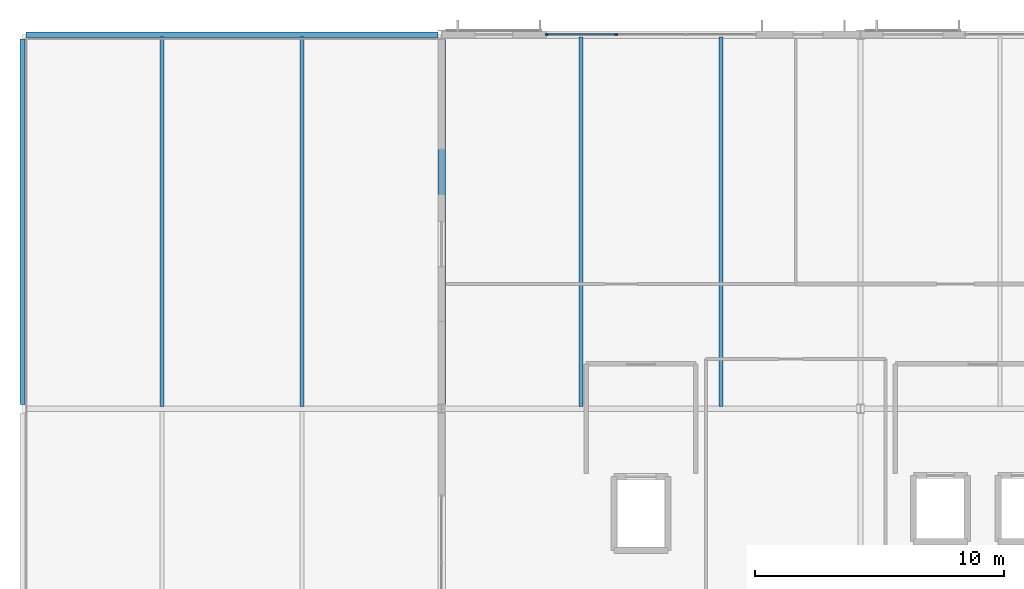
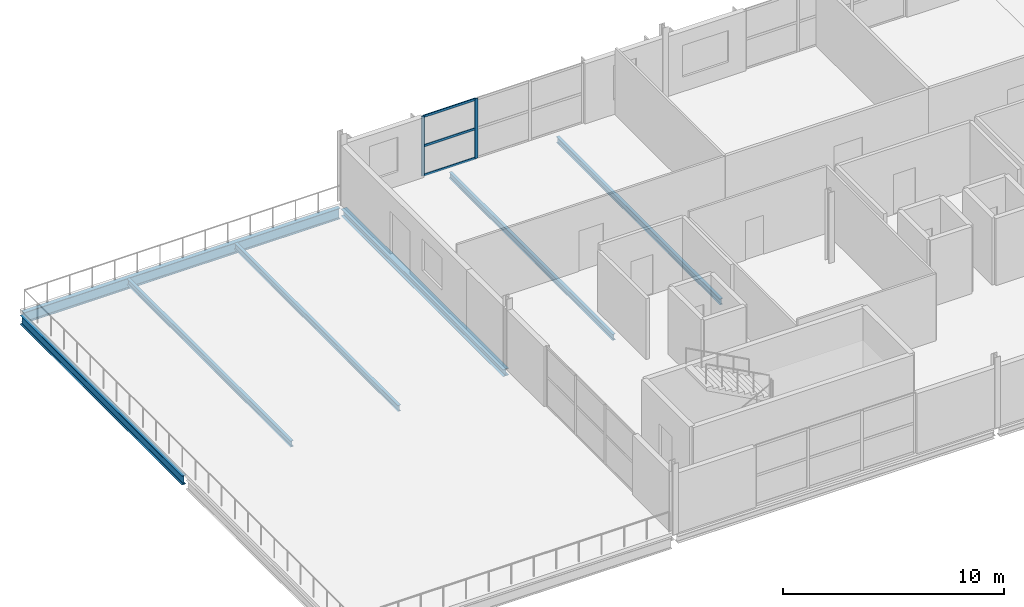
# One storey, part 5 of 18: 7 beams, 5 members, 1 element without a shape of its own.
"""IFC4 building model written with IfcOpenShell, lengths in metres."""

from ifc_helpers import new_model, si_unit, direction, frame, origin, origin_2d, place, context, subcontext, project, spatial, rectangle, i_section, extrude, material, material_profile, profile_set, type_object, element, aggregate, save


model = new_model("IFC4")

# Units and contexts
model_context = context("Model", 3, precision=1e-05, world=origin(), true_north=direction((0.0, 1.0)))
body_context = subcontext(model_context, "Body", "Model", "MODEL_VIEW")
ifc_project = project(units=[si_unit("LENGTHUNIT", "METRE"), si_unit("AREAUNIT", "SQUARE_METRE"), si_unit("VOLUMEUNIT", "CUBIC_METRE"), si_unit("PLANEANGLEUNIT", "RADIAN"), si_unit("MASSUNIT", "GRAM", prefix="KILO")], contexts=[model_context])

# Site, building, storey
site_placement = place(None, origin())
site = spatial("IfcSite", under=ifc_project, at=site_placement, CompositionType="ELEMENT")
building_placement = place(site_placement, origin())
building = spatial("IfcBuilding", under=site, at=building_placement, Name="Kimbaza Rail Terminus", CompositionType="ELEMENT")
storey_placement = place(building_placement, frame((0.0, 0.0, 24.89990234375)))
storey = spatial("IfcBuildingStorey", under=building, at=storey_placement, Name="L05", CompositionType="ELEMENT", Elevation=24.89990234375)

# Curtain wall, members
ifc_material_1 = material(Name="Anodised aluminium framing and solar low-E glazing", Category="aluminium")
curtain_wall_type = type_object("IfcCurtainWallType", Name="ARC-CW-OP2", PredefinedType="USERDEFINED", material=ifc_material_1)
curtain_wall_placement = place(storey_placement, origin())
curtain_wall = element("IfcCurtainWall", 1, at=curtain_wall_placement, inside=storey, type_object=curtain_wall_type, Name="Operations North Curtain Wall L05 Bay 1", ObjectType="STICK CURTAIN WALL", PredefinedType="USERDEFINED")
ifc_material_2 = material(Name="Anodised architectural aluminium", Category="aluminium")
ifc_material_profile_1 = material_profile(ifc_material_2, rectangle(XDim=0.05810546875, YDim=0.14990234375, at=origin_2d()), Name="MULLION 58x150")
ifc_profile_set_1 = profile_set([ifc_material_profile_1], Name="Anodised architectural aluminium")
member_type_1 = type_object("IfcMemberType", Name="ARC-CWM-06", PredefinedType="MULLION", material=ifc_profile_set_1)
member_1_placement = place(storey_placement, frame((76.22900390625, 133.0, 0.0), z_axis=(0.0, 0.0, 1.0), x_axis=(0.0, 1.0, 0.0)))
member_1 = element("IfcMember", 2, at=member_1_placement, type_object=member_type_1, Name="CW-06 mullion 1", PredefinedType="MULLION", context=body_context, shape_type="SweptSolid", body=[
    extrude(rectangle(XDim=0.05810546875, YDim=0.14990234375, at=origin_2d()), origin(), (0.0, 0.0, 1.0), 3.300048828125),
])
member_2_placement = place(storey_placement, frame((79.0, 133.0, 0.0), z_axis=(0.0, 0.0, 1.0), x_axis=(0.0, 1.0, 0.0)))
member_2 = element("IfcMember", 3, at=member_2_placement, type_object=member_type_1, Name="CW-06 mullion 2", PredefinedType="MULLION", context=body_context, shape_type="SweptSolid", body=[
    extrude(rectangle(XDim=0.05810546875, YDim=0.14990234375, at=origin_2d()), origin(), (0.0, 0.0, 1.0), 3.300048828125),
])
ifc_material_3 = material(Name="Anodised architectural aluminium", Category="aluminium")
ifc_material_profile_2 = material_profile(ifc_material_3, rectangle(XDim=0.05810546875, YDim=0.125, at=origin_2d()), Name="TRANSOM 58x125")
ifc_profile_set_2 = profile_set([ifc_material_profile_2], Name="Anodised architectural aluminium")
member_type_2 = type_object("IfcMemberType", Name="ARC-CWT-06", PredefinedType="USERDEFINED", material=ifc_profile_set_2)
member_3_placement = place(storey_placement, frame((76.258056640625, 133.0, 0.029052734375), z_axis=(1.0, 0.0, 0.0), x_axis=(0.0, 1.0, 0.0)))
member_3 = element("IfcMember", 4, at=member_3_placement, type_object=member_type_2, Name="CW-06 transom 1.1", ObjectType="TRANSOM", PredefinedType="USERDEFINED", context=body_context, shape_type="SweptSolid", body=[
    extrude(rectangle(XDim=0.05810546875, YDim=0.125, at=origin_2d()), origin(), (0.0, 0.0, 1.0), 2.712890625),
])
member_4_placement = place(storey_placement, frame((76.258056640625, 133.0, 1.650146484375), z_axis=(1.0, 0.0, 0.0), x_axis=(0.0, 1.0, 0.0)))
member_4 = element("IfcMember", 5, at=member_4_placement, type_object=member_type_2, Name="CW-06 transom 1.2", ObjectType="TRANSOM", PredefinedType="USERDEFINED", context=body_context, shape_type="SweptSolid", body=[
    extrude(rectangle(XDim=0.05810546875, YDim=0.125, at=origin_2d()), origin(), (0.0, 0.0, 1.0), 2.712890625),
])
member_5_placement = place(storey_placement, frame((76.258056640625, 133.0, 3.27099609375), z_axis=(1.0, 0.0, 0.0), x_axis=(0.0, 1.0, 0.0)))
member_5 = element("IfcMember", 6, at=member_5_placement, type_object=member_type_2, Name="CW-06 transom 1.3", ObjectType="TRANSOM", PredefinedType="USERDEFINED", context=body_context, shape_type="SweptSolid", body=[
    extrude(rectangle(XDim=0.05810546875, YDim=0.125, at=origin_2d()), origin(), (0.0, 0.0, 1.0), 2.712890625),
])
aggregate(curtain_wall, [member_1, member_2, member_3, member_4, member_5])

# Beams
ifc_material_4 = material(Name="Steel S355", Category="steel")
ifc_material_profile_3 = material_profile(ifc_material_4, i_section(OverallWidth=0.300048828125, OverallDepth=0.389892578125, WebThickness=0.010986328125, FlangeThickness=0.01904296875, FilletRadius=0.027099609375, at=origin_2d()), Name="HEA 400")
ifc_profile_set_3 = profile_set([ifc_material_profile_3], Name="Steel S355")
beam_type_1 = type_object("IfcBeamType", Name="STR-BM-HEA400", PredefinedType="SPANDREL", material=ifc_profile_set_3)
beam_1_placement = place(storey_placement, frame((72.0, 118.175048828125, -0.385009765625), z_axis=(0.0, 1.0, 0.0), x_axis=(-1.0, 0.0, 0.0)))
element("IfcBeam", 7, at=beam_1_placement, inside=storey, type_object=beam_type_1, Name="Operations Cross Girder L05 X0-Y1", PredefinedType="SPANDREL", context=body_context, shape_type="SweptSolid", body=[
    extrude(i_section(OverallWidth=0.300048828125, OverallDepth=0.389892578125, WebThickness=0.010986328125, FlangeThickness=0.01904296875, FilletRadius=0.027099609375, at=origin_2d()), origin(), (0.0, 0.0, 1.0), 14.64990234375),
])
ifc_material_5 = material(Name="Steel S355", Category="steel")
ifc_material_profile_4 = material_profile(ifc_material_5, i_section(OverallWidth=0.159912109375, OverallDepth=0.330078125, WebThickness=0.007568359375, FlangeThickness=0.011474609375, FilletRadius=0.01806640625, at=origin_2d()), Name="IPE 330")
ifc_profile_set_4 = profile_set([ifc_material_profile_4], Name="Steel S355")
beam_type_2 = type_object("IfcBeamType", Name="STR-BM-IPE330", PredefinedType="JOIST", material=ifc_profile_set_4)
for number, where, z_axis, x_axis, name in (
    (8, (77.60009765625, 118.10009765625, -0.35498046875), (0.0, 1.0, 0.0), (-1.0, 0.0, 0.0), "Operations Secondary Joist L05"),
    (9, (83.199951171875, 118.10009765625, -0.35498046875), (0.0, 1.0, 0.0), (-1.0, 0.0, 0.0), "Operations Secondary Joist L05"),
    (10, (60.800048828125, 118.10009765625, -0.35498046875), (0.0, 1.0, 0.0), (-1.0, 0.0, 0.0), "Beam JST-TER5-1-1"),
    (11, (66.39990234375, 118.10009765625, -0.35498046875), (0.0, 1.0, 0.0), (-1.0, 0.0, 0.0), "Beam JST-TER5-2-1"),
):
    element("IfcBeam", number, at=place(storey_placement, frame(where, z_axis=z_axis, x_axis=x_axis)), inside=storey, type_object=beam_type_2, Name=name, PredefinedType="JOIST", context=body_context, shape_type="SweptSolid", body=[
        extrude(i_section(OverallWidth=0.159912109375, OverallDepth=0.330078125, WebThickness=0.007568359375, FlangeThickness=0.011474609375, FilletRadius=0.01806640625, at=origin_2d()), origin(), (0.0, 0.0, 1.0), 14.7998046875),
    ])
ifc_material_6 = material(Name="Steel S355", Category="steel")
ifc_material_profile_5 = material_profile(ifc_material_6, i_section(OverallWidth=0.199951171875, OverallDepth=0.5, WebThickness=0.01025390625, FlangeThickness=0.01611328125, FilletRadius=0.02099609375, at=origin_2d()), Name="IPE 500")
ifc_profile_set_5 = profile_set([ifc_material_profile_5], Name="Steel S355")
beam_type_3 = type_object("IfcBeamType", Name="STR-BM-IPE500", PredefinedType="BEAM", material=ifc_profile_set_5)
beam_2_placement = place(storey_placement, frame((55.199951171875, 118.175048828125, -0.43994140625), z_axis=(0.0, 1.0, 0.0), x_axis=(-1.0, 0.0, 0.0)))
element("IfcBeam", 12, at=beam_2_placement, inside=storey, type_object=beam_type_3, Name="Beam BM-TER5Y-1", PredefinedType="BEAM", context=body_context, shape_type="SweptSolid", body=[
    extrude(i_section(OverallWidth=0.199951171875, OverallDepth=0.5, WebThickness=0.01025390625, FlangeThickness=0.01611328125, FilletRadius=0.02099609375, at=origin_2d()), origin(), (0.0, 0.0, 1.0), 14.64990234375),
])
ifc_material_7 = material(Name="Steel S355", Category="steel")
ifc_material_profile_6 = material_profile(ifc_material_7, i_section(OverallWidth=0.219970703125, OverallDepth=0.60009765625, WebThickness=0.011962890625, FlangeThickness=0.01904296875, FilletRadius=0.02392578125, at=origin_2d()), Name="IPE 600")
ifc_profile_set_6 = profile_set([ifc_material_profile_6], Name="Steel S355")
beam_type_4 = type_object("IfcBeamType", Name="STR-BM-IPE600", PredefinedType="BEAM", material=ifc_profile_set_6)
beam_3_placement = place(storey_placement, frame((55.345947265625, 133.0, -0.489990234375), z_axis=(1.0, 0.0, 0.0), x_axis=(0.0, 1.0, 0.0)))
element("IfcBeam", 13, at=beam_3_placement, inside=storey, type_object=beam_type_4, Name="Beam BM-TER5X-2", PredefinedType="BEAM", context=body_context, shape_type="SweptSolid", body=[
    extrude(i_section(OverallWidth=0.219970703125, OverallDepth=0.60009765625, WebThickness=0.011962890625, FlangeThickness=0.01904296875, FilletRadius=0.02392578125, at=origin_2d()), origin(), (0.0, 0.0, 1.0), 16.508056640625),
])

save(model, "model.ifc")
